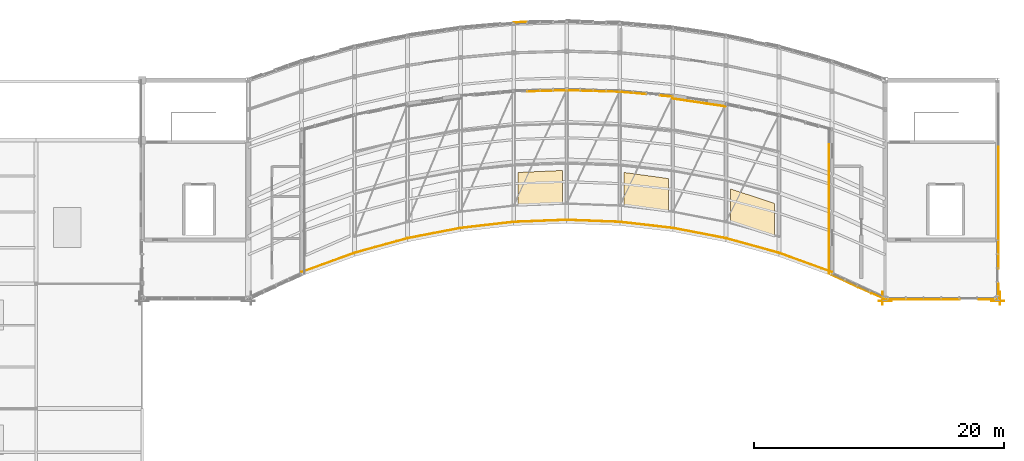
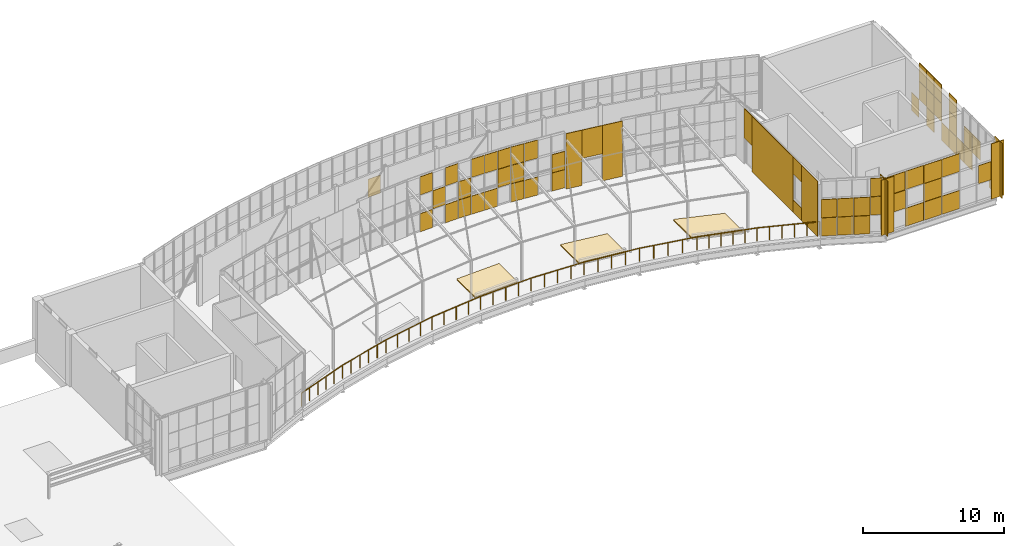
# One storey, part 34 of 35: 71 coverings, 1 railing.
"""IFC4 building model written with IfcOpenShell, lengths in metres."""

from ifc_helpers import new_model, si_unit, direction, frame, origin, origin_2d, place, context, subcontext, project, spatial, polyline, rectangle, circle, outline, extrude, material, layer, layer_set, type_object, element, save


model = new_model("IFC4")

# Units and contexts
model_context = context("Model", 3, precision=1e-05, world=origin(), true_north=direction((0.0, 1.0)))
body_context = subcontext(model_context, "Body", "Model", "MODEL_VIEW")
ifc_project = project(units=[si_unit("LENGTHUNIT", "METRE"), si_unit("AREAUNIT", "SQUARE_METRE"), si_unit("VOLUMEUNIT", "CUBIC_METRE"), si_unit("PLANEANGLEUNIT", "RADIAN"), si_unit("MASSUNIT", "GRAM", prefix="KILO")], contexts=[model_context])

# Site, building, storey
site_placement = place(None, origin())
site = spatial("IfcSite", under=ifc_project, at=site_placement, CompositionType="ELEMENT")
building_placement = place(site_placement, origin())
building = spatial("IfcBuilding", under=site, at=building_placement, Name="Solvikara Media Centre", CompositionType="ELEMENT")
storey_placement = place(building_placement, frame((0.0, 0.0, 29.39990234375)))
storey = spatial("IfcBuildingStorey", under=building, at=storey_placement, Name="L06", CompositionType="ELEMENT", Elevation=29.39990234375)

# Coverings
ifc_material_1 = material(Name="GFRC white mineral architectural rainscreen panel")
ifc_layer_1 = layer(ifc_material_1, 0.050048828125)
ifc_layer_set_1 = layer_set([ifc_layer_1], Name="GFRC white mineral architectural rainscreen panel")
covering_type_1 = type_object("IfcCoveringType", Name="CV-04", PredefinedType="CLADDING", material=ifc_layer_set_1)
for number, where, z_axis, x_axis, name in (
    (1, (136.699951171875, 19.323974609375, 0.0), (0.0, 0.0, 1.0), (0.0, 1.0, 0.0), "PIL-L06-251"),
    (2, (136.5, 19.1240234375, 0.0), (0.0, 0.0, 1.0), (1.0, 0.0, 0.0), "PIL-L06-252"),
    (3, (127.5, 19.1240234375, 0.0), (0.0, 0.0, 1.0), (1.0, 0.0, 0.0), "PIL-L06-265"),
    (4, (127.300048828125, 19.323974609375, 0.0), (0.0, 0.0, 1.0), (0.0, -1.0, 0.0), "PIL-L06-266"),
):
    element("IfcCovering", number, at=place(storey_placement, frame(where, z_axis=z_axis, x_axis=x_axis)), inside=storey, type_object=covering_type_1, Name=name, PredefinedType="CLADDING", context=body_context, shape_type="SweptSolid", body=[
        extrude(rectangle(XDim=1.0400390625, YDim=0.050048828125, at=origin_2d()), origin(), (0.0, 0.0, 1.0), 4.800048828125),
    ])
covering_1_placement = place(storey_placement, frame((109.9599609375, 35.51708984375, 1.615234375), z_axis=(0.0, 0.0, 1.0), x_axis=(0.996142803437, -0.087746881202, 0.0)))
element("IfcCovering", 5, at=covering_1_placement, inside=storey, type_object=covering_type_1, Name="CW-L06-GALS-07-SF-31", PredefinedType="CLADDING", context=body_context, shape_type="SweptSolid", body=[
    extrude(rectangle(XDim=1.037109375, YDim=0.050048828125, at=origin_2d()), origin(), (0.0, 0.0, 1.0), 1.570068359375),
])
covering_2_placement = place(storey_placement, frame((111.05810546875, 35.23291015625, 0.0), z_axis=(0.0, 0.0, 1.0), x_axis=(0.988943511961, -0.148292717789, 0.0)))
element("IfcCovering", 6, at=covering_2_placement, inside=storey, type_object=covering_type_1, Name="L06-GALS08-CV-F01", PredefinedType="CLADDING", context=body_context, shape_type="SweptSolid", body=[
    extrude(rectangle(XDim=1.199951171875, YDim=0.050048828125, at=origin_2d()), origin(), (0.0, 0.0, 1.0), 4.800048828125),
])
covering_3_placement = place(storey_placement, frame((112.44189453125, 35.02587890625, 2.35009765625), z_axis=(0.0, 0.0, 1.0), x_axis=(0.989054525882, -0.14755048232, 0.0)))
element("IfcCovering", 7, at=covering_3_placement, inside=storey, type_object=covering_type_1, Name="L06-GALS08-CV-D02", PredefinedType="CLADDING", context=body_context, shape_type="SweptSolid", body=[
    extrude(rectangle(XDim=1.60009765625, YDim=0.050048828125, at=origin_2d()), origin(), (0.0, 0.0, 1.0), 2.449951171875),
])
covering_4_placement = place(storey_placement, frame((113.97412109375, 34.797119140625, 0.0), z_axis=(0.0, 0.0, 1.0), x_axis=(0.989049374796, -0.147585006746, 0.0)))
element("IfcCovering", 8, at=covering_4_placement, inside=storey, type_object=covering_type_1, Name="L06-GALS08-CV-F03", PredefinedType="CLADDING", context=body_context, shape_type="SweptSolid", body=[
    extrude(rectangle(XDim=1.4970703125, YDim=0.050048828125, at=origin_2d()), origin(), (0.0, 0.0, 1.0), 4.800048828125),
])
covering_5_placement = place(storey_placement, frame((123.7490234375, 20.946044921875, 1.615234375), z_axis=(0.0, 0.0, 1.0), x_axis=(0.908522763286, -0.417835360629, 0.0)))
element("IfcCovering", 9, at=covering_5_placement, inside=storey, type_object=covering_type_1, Name="CW-L06-SARC-11-SF-01", PredefinedType="CLADDING", context=body_context, shape_type="SweptSolid", body=[
    extrude(rectangle(XDim=1.138916015625, YDim=0.050048828125, at=origin_2d()), origin(), (0.0, 0.0, 1.0), 1.570068359375),
])
covering_6_placement = place(storey_placement, frame((124.81103515625, 20.4580078125, 1.615234375), z_axis=(0.0, 0.0, 1.0), x_axis=(0.908187010791, -0.418564634711, 0.0)))
element("IfcCovering", 10, at=covering_6_placement, inside=storey, type_object=covering_type_1, Name="CW-L06-SARC-11-SF-11", PredefinedType="CLADDING", context=body_context, shape_type="SweptSolid", body=[
    extrude(rectangle(XDim=1.139892578125, YDim=0.050048828125, at=origin_2d()), origin(), (0.0, 0.0, 1.0), 1.570068359375),
])
for number, where, z_axis, x_axis, name in (
    (11, (125.8740234375, 19.968994140625, 0.01513671875), (0.0, 0.0, 1.0), (0.908522763286, -0.417835360629, 0.0), "CW-L06-SARC-11-SF-20"),
    (12, (125.8740234375, 19.968994140625, 1.615234375), (0.0, 0.0, 1.0), (0.908522763286, -0.417835360629, 0.0), "CW-L06-SARC-11-SF-21"),
):
    element("IfcCovering", number, at=place(storey_placement, frame(where, z_axis=z_axis, x_axis=x_axis)), inside=storey, type_object=covering_type_1, Name=name, PredefinedType="CLADDING", context=body_context, shape_type="SweptSolid", body=[
        extrude(rectangle(XDim=1.138916015625, YDim=0.050048828125, at=origin_2d()), origin(), (0.0, 0.0, 1.0), 1.570068359375),
    ])
for number, where, z_axis, x_axis, name in (
    (13, (128.25, 19.22998046875, 1.615234375), (0.0, 0.0, 1.0), (1.0, 0.0, 0.0), "CW-L06-BHES-SF-01"),
    (14, (131.25, 19.22998046875, 3.21484375), (0.0, 0.0, 1.0), (1.0, 0.0, 0.0), "CW-L06-BHES-SF-22"),
):
    element("IfcCovering", number, at=place(storey_placement, frame(where, z_axis=z_axis, x_axis=x_axis)), inside=storey, type_object=covering_type_1, Name=name, PredefinedType="CLADDING", context=body_context, shape_type="SweptSolid", body=[
        extrude(rectangle(XDim=1.469970703125, YDim=0.050048828125, at=origin_2d()), origin(), (0.0, 0.0, 1.0), 1.570068359375),
    ])
covering_7_placement = place(storey_placement, frame((123.0048828125, 22.427001953125, 0.0), z_axis=(0.0, 0.0, 1.0), x_axis=(0.0, 1.0, 0.0)))
element("IfcCovering", 15, at=covering_7_placement, inside=storey, type_object=covering_type_1, Name="L06-PAVEW-CV-F01", PredefinedType="CLADDING", context=body_context, shape_type="SweptSolid", body=[
    extrude(rectangle(XDim=2.294921875, YDim=0.050048828125, at=origin_2d()), origin(), (0.0, 0.0, 1.0), 4.800048828125),
])
covering_8_placement = place(storey_placement, frame((123.0048828125, 24.174072265625, 0.0), z_axis=(0.0, 0.0, 1.0), x_axis=(0.0, 1.0, 0.0)))
element("IfcCovering", 16, at=covering_8_placement, inside=storey, type_object=covering_type_1, Name="L06-PAVEW-CV-S02", PredefinedType="CLADDING", context=body_context, shape_type="SweptSolid", body=[
    extrude(rectangle(XDim=1.199951171875, YDim=0.050048828125, at=origin_2d()), origin(), (0.0, 0.0, 1.0), 1.070068359375),
])
covering_9_placement = place(storey_placement, frame((123.0048828125, 24.174072265625, 3.330078125), z_axis=(0.0, 0.0, 1.0), x_axis=(0.0, 1.0, 0.0)))
element("IfcCovering", 17, at=covering_9_placement, inside=storey, type_object=covering_type_1, Name="L06-PAVEW-CV-H02", PredefinedType="CLADDING", context=body_context, shape_type="SweptSolid", body=[
    extrude(rectangle(XDim=1.199951171875, YDim=0.050048828125, at=origin_2d()), origin(), (0.0, 0.0, 1.0), 1.469970703125),
])
covering_10_placement = place(storey_placement, frame((123.0048828125, 27.677001953125, 0.0), z_axis=(0.0, 0.0, 1.0), x_axis=(0.0, 1.0, 0.0)))
element("IfcCovering", 18, at=covering_10_placement, inside=storey, type_object=covering_type_1, Name="L06-PAVEW-CV-F03", PredefinedType="CLADDING", context=body_context, shape_type="SweptSolid", body=[
    extrude(rectangle(XDim=5.804931640625, YDim=0.050048828125, at=origin_2d()), origin(), (0.0, 0.0, 1.0), 4.800048828125),
])
covering_11_placement = place(storey_placement, frame((123.0048828125, 31.12890625, 2.25), z_axis=(0.0, 0.0, 1.0), x_axis=(0.0, 1.0, 0.0)))
element("IfcCovering", 19, at=covering_11_placement, inside=storey, type_object=covering_type_1, Name="L06-PAVEW-CV-D04", PredefinedType="CLADDING", context=body_context, shape_type="SweptSolid", body=[
    extrude(rectangle(XDim=1.10009765625, YDim=0.050048828125, at=origin_2d()), origin(), (0.0, 0.0, 1.0), 2.550048828125),
])
covering_12_placement = place(storey_placement, frame((136.593994140625, 23.416015625, 0.01513671875), z_axis=(0.0, 0.0, 1.0), x_axis=(0.0, 1.0, 0.0)))
element("IfcCovering", 20, at=covering_12_placement, inside=storey, type_object=covering_type_1, Name="CW-L06-BHEE-SF-30", PredefinedType="CLADDING", context=body_context, shape_type="SweptSolid", body=[
    extrude(rectangle(XDim=1.138916015625, YDim=0.050048828125, at=origin_2d()), origin(), (0.0, 0.0, 1.0), 1.570068359375),
])
for number, where, z_axis, x_axis, name in (
    (21, (136.593994140625, 24.533935546875, 0.01513671875), (0.0, 0.0, 1.0), (0.0, 1.0, 0.0), "SHM-L06-C4E-SF-00"),
    (22, (136.593994140625, 27.73291015625, 1.615234375), (0.0, 0.0, 1.0), (0.0, 1.0, 0.0), "SHM-L06-C4E-SF-31"),
    (23, (136.593994140625, 27.73291015625, 3.21484375), (0.0, 0.0, 1.0), (0.0, 1.0, 0.0), "SHM-L06-C4E-SF-32"),
):
    element("IfcCovering", number, at=place(storey_placement, frame(where, z_axis=z_axis, x_axis=x_axis)), inside=storey, type_object=covering_type_1, Name=name, PredefinedType="CLADDING", context=body_context, shape_type="SweptSolid", body=[
        extrude(rectangle(XDim=1.037109375, YDim=0.050048828125, at=origin_2d()), origin(), (0.0, 0.0, 1.0), 1.570068359375),
    ])
for number, where, z_axis, x_axis, name in (
    (24, (136.593994140625, 28.800048828125, 0.01513671875), (0.0, 0.0, 1.0), (0.0, 1.0, 0.0), "SHM-L06-C4E-SF-40"),
    (25, (136.593994140625, 28.800048828125, 3.21484375), (0.0, 0.0, 1.0), (0.0, 1.0, 0.0), "SHM-L06-C4E-SF-42"),
):
    element("IfcCovering", number, at=place(storey_placement, frame(where, z_axis=z_axis, x_axis=x_axis)), inside=storey, type_object=covering_type_1, Name=name, PredefinedType="CLADDING", context=body_context, shape_type="SweptSolid", body=[
        extrude(rectangle(XDim=1.035888671875, YDim=0.050048828125, at=origin_2d()), origin(), (0.0, 0.0, 1.0), 1.570068359375),
    ])
for number, where, z_axis, x_axis, name in (
    (26, (136.593994140625, 29.866943359375, 1.615234375), (0.0, 0.0, 1.0), (0.0, 1.0, 0.0), "SHM-L06-C4E-SF-51"),
    (27, (136.593994140625, 29.866943359375, 3.21484375), (0.0, 0.0, 1.0), (0.0, 1.0, 0.0), "SHM-L06-C4E-SF-52"),
):
    element("IfcCovering", number, at=place(storey_placement, frame(where, z_axis=z_axis, x_axis=x_axis)), inside=storey, type_object=covering_type_1, Name=name, PredefinedType="CLADDING", context=body_context, shape_type="SweptSolid", body=[
        extrude(rectangle(XDim=1.037109375, YDim=0.050048828125, at=origin_2d()), origin(), (0.0, 0.0, 1.0), 1.570068359375),
    ])
ifc_material_2 = material(Name="Insulated silver-pearl glass spandrel panel", Category="glass")
ifc_layer_2 = layer(ifc_material_2, 0.034912109375)
ifc_layer_set_2 = layer_set([ifc_layer_2], Name="Insulated silver-pearl glass spandrel panel")
covering_type_2 = type_object("IfcCoveringType", Name="CV-06", PredefinedType="CLADDING", material=ifc_layer_set_2)
for number, where, z_axis, x_axis, name in (
    (28, (98.279052734375, 41.44091796875, 0.01513671875), (0.0, 0.0, 1.0), (0.999548919735, 0.030032599908, 0.0), "CW-L06-NARC-05-PX-00"),
    (29, (99.345947265625, 35.904052734375, 0.01513671875), (0.0, 0.0, 1.0), (0.999548919735, 0.030032599908, 0.0), "CW-L06-GALS-05-PX-10"),
    (30, (99.345947265625, 35.904052734375, 3.21484375), (0.0, 0.0, 1.0), (0.999548919735, 0.030032599908, 0.0), "CW-L06-GALS-05-PX-12"),
):
    element("IfcCovering", number, at=place(storey_placement, frame(where, z_axis=z_axis, x_axis=x_axis)), inside=storey, type_object=covering_type_2, Name=name, PredefinedType="CLADDING", context=body_context, shape_type="SweptSolid", body=[
        extrude(rectangle(XDim=1.031982421875, YDim=0.034912109375, at=origin_2d()), origin(), (0.0, 0.0, 1.0), 1.570068359375),
    ])
covering_13_placement = place(storey_placement, frame((100.408935546875, 35.93603515625, 1.615234375), z_axis=(0.0, 0.0, 1.0), x_axis=(0.999549967461, 0.02999770905, 0.0)))
element("IfcCovering", 31, at=covering_13_placement, inside=storey, type_object=covering_type_2, Name="CW-L06-GALS-05-PX-21", PredefinedType="CLADDING", context=body_context, shape_type="SweptSolid", body=[
    extrude(rectangle(XDim=1.032958984375, YDim=0.034912109375, at=origin_2d()), origin(), (0.0, 0.0, 1.0), 1.570068359375),
])
for number, where, z_axis, x_axis, name in (
    (32, (101.470947265625, 35.968017578125, 0.01513671875), (0.0, 0.0, 1.0), (0.999548919735, 0.030032599908, 0.0), "CW-L06-GALS-05-PX-30"),
    (33, (101.470947265625, 35.968017578125, 3.21484375), (0.0, 0.0, 1.0), (0.999548919735, 0.030032599908, 0.0), "CW-L06-GALS-05-PX-32"),
    (34, (102.529052734375, 35.968017578125, 0.01513671875), (0.0, 0.0, 1.0), (0.999548919735, -0.030032599908, 0.0), "CW-L06-GALS-06-PX-00"),
    (35, (102.529052734375, 35.968017578125, 1.615234375), (0.0, 0.0, 1.0), (0.999548919735, -0.030032599908, 0.0), "CW-L06-GALS-06-PX-01"),
):
    element("IfcCovering", number, at=place(storey_placement, frame(where, z_axis=z_axis, x_axis=x_axis)), inside=storey, type_object=covering_type_2, Name=name, PredefinedType="CLADDING", context=body_context, shape_type="SweptSolid", body=[
        extrude(rectangle(XDim=1.031982421875, YDim=0.034912109375, at=origin_2d()), origin(), (0.0, 0.0, 1.0), 1.570068359375),
    ])
for number, where, z_axis, x_axis, name in (
    (36, (103.591064453125, 35.93603515625, 0.01513671875), (0.0, 0.0, 1.0), (0.999549967461, -0.02999770905, 0.0), "CW-L06-GALS-06-PX-10"),
    (37, (103.591064453125, 35.93603515625, 3.21484375), (0.0, 0.0, 1.0), (0.999549967461, -0.02999770905, 0.0), "CW-L06-GALS-06-PX-12"),
):
    element("IfcCovering", number, at=place(storey_placement, frame(where, z_axis=z_axis, x_axis=x_axis)), inside=storey, type_object=covering_type_2, Name=name, PredefinedType="CLADDING", context=body_context, shape_type="SweptSolid", body=[
        extrude(rectangle(XDim=1.032958984375, YDim=0.034912109375, at=origin_2d()), origin(), (0.0, 0.0, 1.0), 1.570068359375),
    ])
for number, where, z_axis, x_axis, name in (
    (38, (104.654052734375, 35.904052734375, 0.01513671875), (0.0, 0.0, 1.0), (0.999548919735, -0.030032599908, 0.0), "CW-L06-GALS-06-PX-20"),
    (39, (104.654052734375, 35.904052734375, 3.21484375), (0.0, 0.0, 1.0), (0.999548919735, -0.030032599908, 0.0), "CW-L06-GALS-06-PX-22"),
):
    element("IfcCovering", number, at=place(storey_placement, frame(where, z_axis=z_axis, x_axis=x_axis)), inside=storey, type_object=covering_type_2, Name=name, PredefinedType="CLADDING", context=body_context, shape_type="SweptSolid", body=[
        extrude(rectangle(XDim=1.031982421875, YDim=0.034912109375, at=origin_2d()), origin(), (0.0, 0.0, 1.0), 1.570068359375),
    ])
for number, where, z_axis, x_axis, name in (
    (40, (105.716064453125, 35.873046875, 1.615234375), (0.0, 0.0, 1.0), (0.999549967461, -0.02999770905, 0.0), "CW-L06-GALS-06-PX-31"),
    (41, (105.716064453125, 35.873046875, 3.21484375), (0.0, 0.0, 1.0), (0.999549967461, -0.02999770905, 0.0), "CW-L06-GALS-06-PX-32"),
):
    element("IfcCovering", number, at=place(storey_placement, frame(where, z_axis=z_axis, x_axis=x_axis)), inside=storey, type_object=covering_type_2, Name=name, PredefinedType="CLADDING", context=body_context, shape_type="SweptSolid", body=[
        extrude(rectangle(XDim=1.032958984375, YDim=0.034912109375, at=origin_2d()), origin(), (0.0, 0.0, 1.0), 1.570068359375),
    ])
for number, where, z_axis, x_axis, name in (
    (42, (106.77392578125, 35.81005859375, 0.01513671875), (0.0, 0.0, 1.0), (0.996050368938, -0.088789991203, 0.0), "CW-L06-GALS-07-PX-00"),
    (43, (106.77392578125, 35.81005859375, 1.615234375), (0.0, 0.0, 1.0), (0.996050368938, -0.088789991203, 0.0), "CW-L06-GALS-07-PX-01"),
    (44, (106.77392578125, 35.81005859375, 3.21484375), (0.0, 0.0, 1.0), (0.996050368938, -0.088789991203, 0.0), "CW-L06-GALS-07-PX-02"),
):
    element("IfcCovering", number, at=place(storey_placement, frame(where, z_axis=z_axis, x_axis=x_axis)), inside=storey, type_object=covering_type_2, Name=name, PredefinedType="CLADDING", context=body_context, shape_type="SweptSolid", body=[
        extrude(rectangle(XDim=1.035888671875, YDim=0.034912109375, at=origin_2d()), origin(), (0.0, 0.0, 1.0), 1.570068359375),
    ])
for number, where, z_axis, x_axis, name in (
    (45, (107.8369140625, 35.716064453125, 0.01513671875), (0.0, 0.0, 1.0), (0.996058113534, -0.088703069073, 0.0), "CW-L06-GALS-07-PX-10"),
    (46, (107.8369140625, 35.716064453125, 3.21484375), (0.0, 0.0, 1.0), (0.996058113534, -0.088703069073, 0.0), "CW-L06-GALS-07-PX-12"),
    (47, (109.9619140625, 35.528076171875, 0.01513671875), (0.0, 0.0, 1.0), (0.996142803437, -0.087746881202, 0.0), "CW-L06-GALS-07-PX-30"),
):
    element("IfcCovering", number, at=place(storey_placement, frame(where, z_axis=z_axis, x_axis=x_axis)), inside=storey, type_object=covering_type_2, Name=name, PredefinedType="CLADDING", context=body_context, shape_type="SweptSolid", body=[
        extrude(rectangle(XDim=1.037109375, YDim=0.034912109375, at=origin_2d()), origin(), (0.0, 0.0, 1.0), 1.570068359375),
    ])
for number, where, z_axis, x_axis, name in (
    (48, (123.7509765625, 20.9560546875, 0.01513671875), (0.0, 0.0, 1.0), (0.908522763286, -0.417835360629, 0.0), "CW-L06-SARC-11-PX-00"),
    (49, (124.81396484375, 20.467041015625, 0.01513671875), (0.0, 0.0, 1.0), (0.908522763286, -0.417835360629, 0.0), "CW-L06-SARC-11-PX-10"),
):
    element("IfcCovering", number, at=place(storey_placement, frame(where, z_axis=z_axis, x_axis=x_axis)), inside=storey, type_object=covering_type_2, Name=name, PredefinedType="CLADDING", context=body_context, shape_type="SweptSolid", body=[
        extrude(rectangle(XDim=1.138916015625, YDim=0.034912109375, at=origin_2d()), origin(), (0.0, 0.0, 1.0), 1.570068359375),
    ])
for number, where, z_axis, x_axis, name in (
    (50, (126.93896484375, 19.489013671875, 1.615234375), (0.0, 0.0, 1.0), (0.908187010791, -0.418564634711, 0.0), "CW-L06-SARC-11-PX-31"),
    (51, (126.93896484375, 19.489013671875, 3.21484375), (0.0, 0.0, 1.0), (0.908187010791, -0.418564634711, 0.0), "CW-L06-SARC-11-PX-32"),
):
    element("IfcCovering", number, at=place(storey_placement, frame(where, z_axis=z_axis, x_axis=x_axis)), inside=storey, type_object=covering_type_2, Name=name, PredefinedType="CLADDING", context=body_context, shape_type="SweptSolid", body=[
        extrude(rectangle(XDim=1.139892578125, YDim=0.034912109375, at=origin_2d()), origin(), (0.0, 0.0, 1.0), 1.570068359375),
    ])
for number, where, z_axis, x_axis, name in (
    (52, (128.25, 19.239990234375, 3.21484375), (0.0, 0.0, 1.0), (1.0, 0.0, 0.0), "CW-L06-BHES-PX-02"),
    (53, (129.75, 19.239990234375, 0.01513671875), (0.0, 0.0, 1.0), (1.0, 0.0, 0.0), "CW-L06-BHES-PX-10"),
    (54, (129.75, 19.239990234375, 3.21484375), (0.0, 0.0, 1.0), (1.0, 0.0, 0.0), "CW-L06-BHES-PX-12"),
    (55, (131.25, 19.239990234375, 0.01513671875), (0.0, 0.0, 1.0), (1.0, 0.0, 0.0), "CW-L06-BHES-PX-20"),
    (56, (131.25, 19.239990234375, 1.615234375), (0.0, 0.0, 1.0), (1.0, 0.0, 0.0), "CW-L06-BHES-PX-21"),
    (57, (132.75, 19.239990234375, 0.01513671875), (0.0, 0.0, 1.0), (1.0, 0.0, 0.0), "CW-L06-BHES-PX-30"),
    (58, (132.75, 19.239990234375, 3.21484375), (0.0, 0.0, 1.0), (1.0, 0.0, 0.0), "CW-L06-BHES-PX-32"),
    (59, (135.75, 19.239990234375, 1.615234375), (0.0, 0.0, 1.0), (1.0, 0.0, 0.0), "CW-L06-BHES-PX-51"),
):
    element("IfcCovering", number, at=place(storey_placement, frame(where, z_axis=z_axis, x_axis=x_axis)), inside=storey, type_object=covering_type_2, Name=name, PredefinedType="CLADDING", context=body_context, shape_type="SweptSolid", body=[
        extrude(rectangle(XDim=1.469970703125, YDim=0.034912109375, at=origin_2d()), origin(), (0.0, 0.0, 1.0), 1.570068359375),
    ])
for number, where, z_axis, x_axis, name in (
    (60, (136.583984375, 19.908935546875, 0.01513671875), (0.0, 0.0, 1.0), (0.0, 1.0, 0.0), "CW-L06-BHEE-PX-00"),
    (61, (136.583984375, 22.24609375, 1.615234375), (0.0, 0.0, 1.0), (0.0, 1.0, 0.0), "CW-L06-BHEE-PX-21"),
    (62, (136.583984375, 23.416015625, 1.615234375), (0.0, 0.0, 1.0), (0.0, 1.0, 0.0), "CW-L06-BHEE-PX-31"),
):
    element("IfcCovering", number, at=place(storey_placement, frame(where, z_axis=z_axis, x_axis=x_axis)), inside=storey, type_object=covering_type_2, Name=name, PredefinedType="CLADDING", context=body_context, shape_type="SweptSolid", body=[
        extrude(rectangle(XDim=1.138916015625, YDim=0.034912109375, at=origin_2d()), origin(), (0.0, 0.0, 1.0), 1.570068359375),
    ])
for number, where, z_axis, x_axis, name in (
    (63, (136.583984375, 25.60009765625, 0.01513671875), (0.0, 0.0, 1.0), (0.0, 1.0, 0.0), "SHM-L06-C4E-PX-10"),
    (64, (136.583984375, 25.60009765625, 1.615234375), (0.0, 0.0, 1.0), (0.0, 1.0, 0.0), "SHM-L06-C4E-PX-11"),
    (65, (136.583984375, 25.60009765625, 3.21484375), (0.0, 0.0, 1.0), (0.0, 1.0, 0.0), "SHM-L06-C4E-PX-12"),
):
    element("IfcCovering", number, at=place(storey_placement, frame(where, z_axis=z_axis, x_axis=x_axis)), inside=storey, type_object=covering_type_2, Name=name, PredefinedType="CLADDING", context=body_context, shape_type="SweptSolid", body=[
        extrude(rectangle(XDim=1.035888671875, YDim=0.034912109375, at=origin_2d()), origin(), (0.0, 0.0, 1.0), 1.570068359375),
    ])
covering_14_placement = place(storey_placement, frame((136.583984375, 26.666015625, 0.01513671875), z_axis=(0.0, 0.0, 1.0), x_axis=(0.0, 1.0, 0.0)))
element("IfcCovering", 66, at=covering_14_placement, inside=storey, type_object=covering_type_2, Name="SHM-L06-C4E-PX-20", PredefinedType="CLADDING", context=body_context, shape_type="SweptSolid", body=[
    extrude(rectangle(XDim=1.037109375, YDim=0.034912109375, at=origin_2d()), origin(), (0.0, 0.0, 1.0), 1.570068359375),
])
covering_15_placement = place(storey_placement, frame((136.583984375, 28.800048828125, 1.615234375), z_axis=(0.0, 0.0, 1.0), x_axis=(0.0, 1.0, 0.0)))
element("IfcCovering", 67, at=covering_15_placement, inside=storey, type_object=covering_type_2, Name="SHM-L06-C4E-PX-41", PredefinedType="CLADDING", context=body_context, shape_type="SweptSolid", body=[
    extrude(rectangle(XDim=1.035888671875, YDim=0.034912109375, at=origin_2d()), origin(), (0.0, 0.0, 1.0), 1.570068359375),
])
covering_16_placement = place(storey_placement, frame((136.583984375, 30.93408203125, 0.01513671875), z_axis=(0.0, 0.0, 1.0), x_axis=(0.0, 1.0, 0.0)))
element("IfcCovering", 68, at=covering_16_placement, inside=storey, type_object=covering_type_2, Name="SHM-L06-C4E-PX-60", PredefinedType="CLADDING", context=body_context, shape_type="SweptSolid", body=[
    extrude(rectangle(XDim=1.037109375, YDim=0.034912109375, at=origin_2d()), origin(), (0.0, 0.0, 1.0), 1.570068359375),
])
ifc_material_3 = material(Name="Engineered extensive green-roof substrate and membrane")
ifc_layer_3 = layer(ifc_material_3, 0.1201171875)
ifc_layer_set_3 = layer_set([ifc_layer_3], Name="Engineered extensive green-roof substrate and membrane")
covering_type_3 = type_object("IfcCoveringType", Name="CV-07", PredefinedType="ROOFING", material=ifc_layer_set_3)
covering_17_placement = place(storey_placement, origin())
element("IfcCovering", 69, at=covering_17_placement, inside=storey, type_object=covering_type_3, Name="GRN-L06-06", PredefinedType="ROOFING", context=body_context, shape_type="SweptSolid", body=[
    extrude(outline(polyline([(98.10009765625, 26.804931640625), (101.64990234375, 26.967041015625), (101.64990234375, 29.56689453125), (98.10009765625, 29.405029296875), (98.10009765625, 26.804931640625)])), origin(), (0.0, 0.0, 1.0), 0.1201171875),
])
covering_18_placement = place(storey_placement, origin())
element("IfcCovering", 70, at=covering_18_placement, inside=storey, type_object=covering_type_3, Name="GRN-L06-08", PredefinedType="ROOFING", context=body_context, shape_type="SweptSolid", body=[
    extrude(outline(polyline([(106.60009765625, 26.804931640625), (110.14990234375, 26.318115234375), (110.14990234375, 28.91796875), (106.60009765625, 29.405029296875), (106.60009765625, 26.804931640625)])), origin(), (0.0, 0.0, 1.0), 0.1201171875),
])
covering_19_placement = place(storey_placement, origin())
element("IfcCovering", 71, at=covering_19_placement, inside=storey, type_object=covering_type_3, Name="GRN-L06-10", PredefinedType="ROOFING", context=body_context, shape_type="SweptSolid", body=[
    extrude(outline(polyline([(115.10009765625, 25.49609375), (118.64990234375, 24.323974609375), (118.64990234375, 26.924072265625), (115.10009765625, 28.095947265625), (115.10009765625, 25.49609375)])), origin(), (0.0, 0.0, 1.0), 0.1201171875),
])

# Railing
ifc_material_4 = material(Name="Steel S355JR", Category="steel")
railing_type = type_object("IfcRailingType", Name="GR-01", PredefinedType="GUARDRAIL", material=ifc_material_4)
railing_placement = place(storey_placement, frame((80.75, 21.4189453125, 0.0)))
element("IfcRailing", 72, at=railing_placement, inside=storey, type_object=railing_type, Name="GR-TER-L06-ARC", PredefinedType="GUARDRAIL", context=body_context, shape_type="SweptSolid", body=[
    extrude(circle(Radius=0.02392578125, at=origin_2d()), frame((0.0, 0.0, 1.1259765625), z_axis=(0.939813913394, 0.341686710585, 0.0), x_axis=(-0.341686710585, 0.939813913394, 0.0)), (0.0, 0.0, 1.0), 4.522216796875),
    extrude(circle(Radius=0.02392578125, at=origin_2d()), frame((4.25, 1.545166015625, 1.1259765625), z_axis=(0.964023941511, 0.265815425049, 0.0), x_axis=(-0.265815425049, 0.964023941511, 0.0)), (0.0, 0.0, 1.0), 4.40869140625),
    extrude(circle(Radius=0.02392578125, at=origin_2d()), frame((8.5, 2.717041015625, 1.1259765625), z_axis=(0.981803941213, 0.189897396029, 0.0), x_axis=(-0.189897396029, 0.981803941213, 0.0)), (0.0, 0.0, 1.0), 4.328857421875),
    extrude(circle(Radius=0.02392578125, at=origin_2d()), frame((12.75, 3.5390625, 1.1259765625), z_axis=(0.993497121238, 0.113857235574, 0.0), x_axis=(-0.113857235574, 0.993497121238, 0.0)), (0.0, 0.0, 1.0), 4.27783203125),
    extrude(circle(Radius=0.02392578125, at=origin_2d()), frame((17.0, 4.026123046875, 1.1259765625), z_axis=(0.999275518753, 0.038058344953, 0.0), x_axis=(-0.038058344953, 0.999275518753, 0.0)), (0.0, 0.0, 1.0), 4.253173828125),
    extrude(circle(Radius=0.02392578125, at=origin_2d()), frame((21.25, 4.18798828125, 1.1259765625), z_axis=(0.999275518753, -0.038058344953, 0.0), x_axis=(0.038058344953, 0.999275518753, 0.0)), (0.0, 0.0, 1.0), 4.253173828125),
    extrude(circle(Radius=0.02392578125, at=origin_2d()), frame((25.5, 4.026123046875, 1.1259765625), z_axis=(0.993497121238, -0.113857235574, 0.0), x_axis=(0.113857235574, 0.993497121238, 0.0)), (0.0, 0.0, 1.0), 4.27783203125),
    extrude(circle(Radius=0.02392578125, at=origin_2d()), frame((29.75, 3.5390625, 1.1259765625), z_axis=(0.981803941213, -0.189897396029, 0.0), x_axis=(0.189897396029, 0.981803941213, 0.0)), (0.0, 0.0, 1.0), 4.328857421875),
    extrude(circle(Radius=0.02392578125, at=origin_2d()), frame((34.0, 2.717041015625, 1.1259765625), z_axis=(0.964023941511, -0.265815425049, 0.0), x_axis=(0.265815425049, 0.964023941511, 0.0)), (0.0, 0.0, 1.0), 4.40869140625),
    extrude(circle(Radius=0.02392578125, at=origin_2d()), frame((38.25, 1.545166015625, 1.1259765625), z_axis=(0.939813913394, -0.341686710585, 0.0), x_axis=(0.341686710585, 0.939813913394, 0.0)), (0.0, 0.0, 1.0), 4.522216796875),
    extrude(circle(Radius=0.02099609375, at=origin_2d()), origin(), (0.0, 0.0, 1.0), 1.101806640625),
    extrude(circle(Radius=0.02099609375, at=origin_2d()), frame((0.85009765625, 0.30908203125, 0.0)), (0.0, 0.0, 1.0), 1.101806640625),
    extrude(circle(Radius=0.02099609375, at=origin_2d()), frame((1.699951171875, 0.6181640625, 0.0)), (0.0, 0.0, 1.0), 1.101806640625),
    extrude(circle(Radius=0.02099609375, at=origin_2d()), frame((2.550048828125, 0.927001953125, 0.0)), (0.0, 0.0, 1.0), 1.101806640625),
    extrude(circle(Radius=0.02099609375, at=origin_2d()), frame((3.39990234375, 1.236083984375, 0.0)), (0.0, 0.0, 1.0), 1.101806640625),
    extrude(circle(Radius=0.02099609375, at=origin_2d()), frame((4.25, 1.545166015625, 0.0)), (0.0, 0.0, 1.0), 1.101806640625),
    extrude(circle(Radius=0.02099609375, at=origin_2d()), frame((5.10009765625, 1.779541015625, 0.0)), (0.0, 0.0, 1.0), 1.101806640625),
    extrude(circle(Radius=0.02099609375, at=origin_2d()), frame((5.949951171875, 2.013916015625, 0.0)), (0.0, 0.0, 1.0), 1.101806640625),
    extrude(circle(Radius=0.02099609375, at=origin_2d()), frame((6.800048828125, 2.248291015625, 0.0)), (0.0, 0.0, 1.0), 1.101806640625),
    extrude(circle(Radius=0.02099609375, at=origin_2d()), frame((7.64990234375, 2.482666015625, 0.0)), (0.0, 0.0, 1.0), 1.101806640625),
    extrude(circle(Radius=0.02099609375, at=origin_2d()), frame((8.5, 2.717041015625, 0.0)), (0.0, 0.0, 1.0), 1.101806640625),
    extrude(circle(Radius=0.02099609375, at=origin_2d()), frame((9.5625, 2.922607421875, 0.0)), (0.0, 0.0, 1.0), 1.101806640625),
    extrude(circle(Radius=0.02099609375, at=origin_2d()), frame((10.625, 3.1279296875, 0.0)), (0.0, 0.0, 1.0), 1.101806640625),
    extrude(circle(Radius=0.02099609375, at=origin_2d()), frame((11.6875, 3.33349609375, 0.0)), (0.0, 0.0, 1.0), 1.101806640625),
    extrude(circle(Radius=0.02099609375, at=origin_2d()), frame((12.75, 3.5390625, 0.0)), (0.0, 0.0, 1.0), 1.101806640625),
    extrude(circle(Radius=0.02099609375, at=origin_2d()), frame((13.8125, 3.660888671875, 0.0)), (0.0, 0.0, 1.0), 1.101806640625),
    extrude(circle(Radius=0.02099609375, at=origin_2d()), frame((14.875, 3.78271484375, 0.0)), (0.0, 0.0, 1.0), 1.101806640625),
    extrude(circle(Radius=0.02099609375, at=origin_2d()), frame((15.9375, 3.904296875, 0.0)), (0.0, 0.0, 1.0), 1.101806640625),
    extrude(circle(Radius=0.02099609375, at=origin_2d()), frame((17.0, 4.026123046875, 0.0)), (0.0, 0.0, 1.0), 1.101806640625),
    extrude(circle(Radius=0.02099609375, at=origin_2d()), frame((18.0625, 4.066650390625, 0.0)), (0.0, 0.0, 1.0), 1.101806640625),
    extrude(circle(Radius=0.02099609375, at=origin_2d()), frame((19.125, 4.10693359375, 0.0)), (0.0, 0.0, 1.0), 1.101806640625),
    extrude(circle(Radius=0.02099609375, at=origin_2d()), frame((20.1875, 4.1474609375, 0.0)), (0.0, 0.0, 1.0), 1.101806640625),
    extrude(circle(Radius=0.02099609375, at=origin_2d()), frame((21.25, 4.18798828125, 0.0)), (0.0, 0.0, 1.0), 1.101806640625),
    extrude(circle(Radius=0.02099609375, at=origin_2d()), frame((22.3125, 4.1474609375, 0.0)), (0.0, 0.0, 1.0), 1.101806640625),
    extrude(circle(Radius=0.02099609375, at=origin_2d()), frame((23.375, 4.10693359375, 0.0)), (0.0, 0.0, 1.0), 1.101806640625),
    extrude(circle(Radius=0.02099609375, at=origin_2d()), frame((24.4375, 4.066650390625, 0.0)), (0.0, 0.0, 1.0), 1.101806640625),
    extrude(circle(Radius=0.02099609375, at=origin_2d()), frame((25.5, 4.026123046875, 0.0)), (0.0, 0.0, 1.0), 1.101806640625),
    extrude(circle(Radius=0.02099609375, at=origin_2d()), frame((26.5625, 3.904296875, 0.0)), (0.0, 0.0, 1.0), 1.101806640625),
    extrude(circle(Radius=0.02099609375, at=origin_2d()), frame((27.625, 3.78271484375, 0.0)), (0.0, 0.0, 1.0), 1.101806640625),
    extrude(circle(Radius=0.02099609375, at=origin_2d()), frame((28.6875, 3.660888671875, 0.0)), (0.0, 0.0, 1.0), 1.101806640625),
    extrude(circle(Radius=0.02099609375, at=origin_2d()), frame((29.75, 3.5390625, 0.0)), (0.0, 0.0, 1.0), 1.101806640625),
    extrude(circle(Radius=0.02099609375, at=origin_2d()), frame((30.8125, 3.33349609375, 0.0)), (0.0, 0.0, 1.0), 1.101806640625),
    extrude(circle(Radius=0.02099609375, at=origin_2d()), frame((31.875, 3.1279296875, 0.0)), (0.0, 0.0, 1.0), 1.101806640625),
    extrude(circle(Radius=0.02099609375, at=origin_2d()), frame((32.9375, 2.922607421875, 0.0)), (0.0, 0.0, 1.0), 1.101806640625),
    extrude(circle(Radius=0.02099609375, at=origin_2d()), frame((34.0, 2.717041015625, 0.0)), (0.0, 0.0, 1.0), 1.101806640625),
    extrude(circle(Radius=0.02099609375, at=origin_2d()), frame((34.85009765625, 2.482666015625, 0.0)), (0.0, 0.0, 1.0), 1.101806640625),
    extrude(circle(Radius=0.02099609375, at=origin_2d()), frame((35.699951171875, 2.248291015625, 0.0)), (0.0, 0.0, 1.0), 1.101806640625),
    extrude(circle(Radius=0.02099609375, at=origin_2d()), frame((36.550048828125, 2.013916015625, 0.0)), (0.0, 0.0, 1.0), 1.101806640625),
    extrude(circle(Radius=0.02099609375, at=origin_2d()), frame((37.39990234375, 1.779541015625, 0.0)), (0.0, 0.0, 1.0), 1.101806640625),
    extrude(circle(Radius=0.02099609375, at=origin_2d()), frame((38.25, 1.545166015625, 0.0)), (0.0, 0.0, 1.0), 1.101806640625),
    extrude(circle(Radius=0.02099609375, at=origin_2d()), frame((39.10009765625, 1.236083984375, 0.0)), (0.0, 0.0, 1.0), 1.101806640625),
    extrude(circle(Radius=0.02099609375, at=origin_2d()), frame((39.949951171875, 0.927001953125, 0.0)), (0.0, 0.0, 1.0), 1.101806640625),
    extrude(circle(Radius=0.02099609375, at=origin_2d()), frame((40.800048828125, 0.6181640625, 0.0)), (0.0, 0.0, 1.0), 1.101806640625),
    extrude(circle(Radius=0.02099609375, at=origin_2d()), frame((41.64990234375, 0.30908203125, 0.0)), (0.0, 0.0, 1.0), 1.101806640625),
    extrude(circle(Radius=0.02099609375, at=origin_2d()), frame((42.5, 0.0, 0.0)), (0.0, 0.0, 1.0), 1.101806640625),
])

save(model, "model.ifc")
